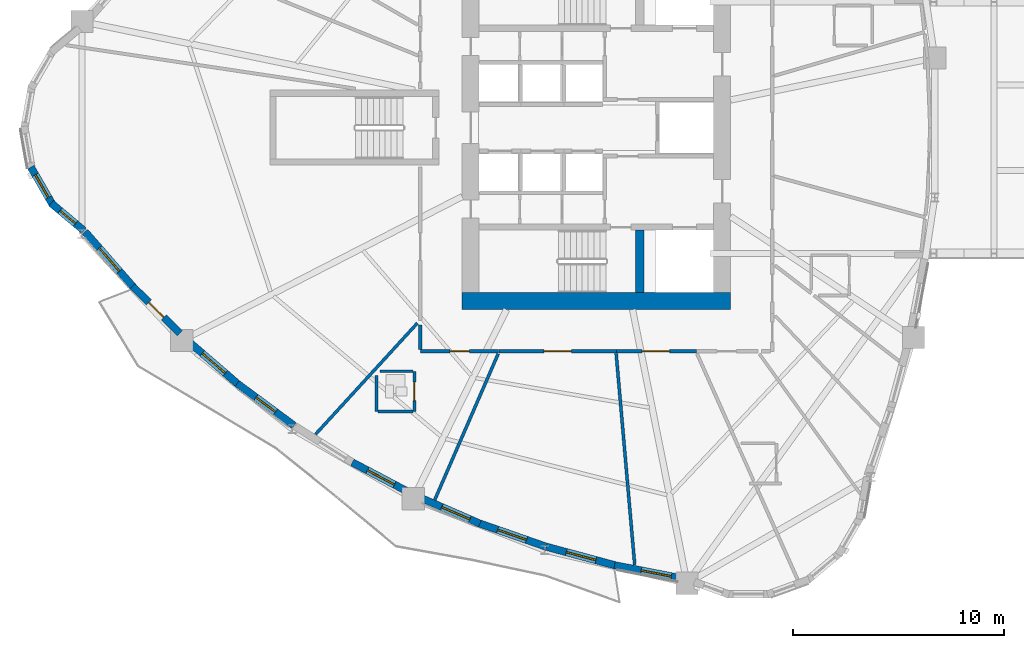
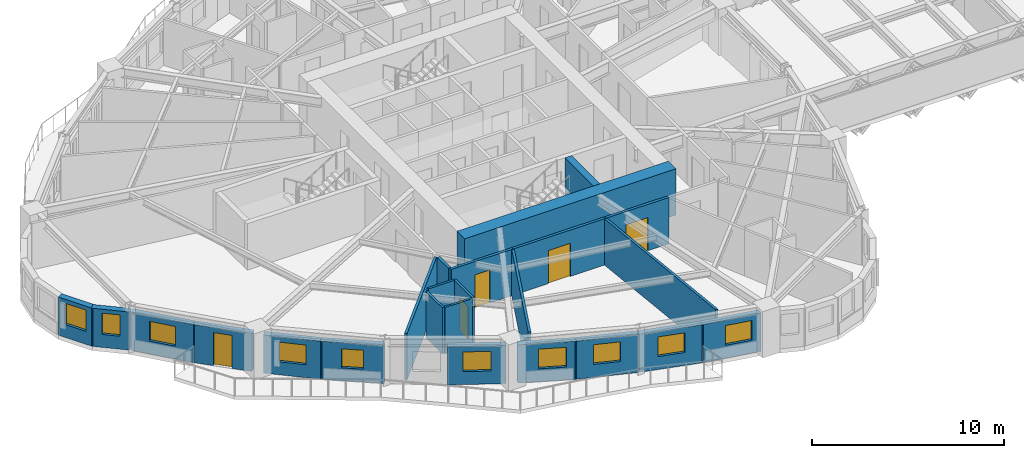
# One storey, part 4 of 16: 24 walls, 10 windows, 5 doors, 15 openings.
"""IFC4 building model written with IfcOpenShell, lengths in metres."""

from ifc_helpers import new_model, si_unit, direction, frame, frame_2d, origin, place, context, subcontext, project, spatial, rectangle, extrude, source, transform, mapped, material, layer, layer_set, type_object, element, fill, save


model = new_model("IFC4")

# Units and contexts
model_context = context("Model", 3, precision=1e-05, world=origin(), true_north=direction((0.0, 1.0)))
body_context = subcontext(model_context, "Body", "Model", "MODEL_VIEW")
ifc_project = project(units=[si_unit("LENGTHUNIT", "METRE"), si_unit("AREAUNIT", "SQUARE_METRE"), si_unit("VOLUMEUNIT", "CUBIC_METRE"), si_unit("PLANEANGLEUNIT", "RADIAN"), si_unit("MASSUNIT", "GRAM", prefix="KILO")], contexts=[model_context])

# Site, building, storey
site_placement = place(None, origin())
site = spatial("IfcSite", under=ifc_project, at=site_placement, CompositionType="ELEMENT")
building_placement = place(site_placement, origin())
building = spatial("IfcBuilding", under=site, at=building_placement, Name="Qafzar Sky-Pleat Residences", CompositionType="ELEMENT")
storey_placement = place(building_placement, frame((0.0, 0.0, 33.39990234375)))
storey = spatial("IfcBuildingStorey", under=building, at=storey_placement, Name="L09", CompositionType="ELEMENT", Elevation=33.39990234375)

# Wall, opening, door
ifc_material_1 = material(Name="Acoustic gypsum plasterboard partition", Category="gypsum")
ifc_layer_1 = layer(ifc_material_1, 0.159912109375)
ifc_layer_set_1 = layer_set([ifc_layer_1], Name="Acoustic gypsum plasterboard partition")
wall_type_1 = type_object("IfcWallType", Name="PART-COR-160", PredefinedType="PARTITIONING", material=ifc_layer_set_1)
wall_1_placement = place(storey_placement, frame((31.2939453125, 15.419921875, 0.0), z_axis=(0.0, 0.0, 1.0), x_axis=(-1.0, 0.0, 0.0)))
wall_1 = element("IfcWall", 1, at=wall_1_placement, inside=storey, type_object=wall_type_1, Name="L09 Partition Wall PART-L09-PW-003", PredefinedType="PARTITIONING", context=body_context, shape_type="SweptSolid", body=[
    extrude(rectangle(XDim=5.553955078125, YDim=0.159912109375, at=frame_2d((2.77685546875, 0.0))), origin(), (0.0, 0.0, 1.0), 2.940185546875),
])
opening_1_placement = place(wall_1_placement, frame((2.12646484375, 0.0, 0.0)))
opening_1 = element("IfcOpeningElement", 2, at=opening_1_placement, cuts=wall_1, Name="Opening ID-05", PredefinedType="OPENING", context=body_context, shape_type="SweptSolid", body=[
    extrude(rectangle(XDim=1.300048828125, YDim=2.10009765625, at=frame_2d((0.64990234375, 1.050048828125))), frame((0.0, 0.08984375, 0.0), z_axis=(0.0, -1.0, 0.0), x_axis=(1.0, 0.0, 0.0)), (0.0, 0.0, 1.0), 0.179931640625),
])
ifc_material_2 = material(Name="Timber-faced fire door", Category="wood")
door_type_1 = type_object("IfcDoorType", Name="DR-LNG-1300", OperationType="DOUBLE_DOOR_SINGLE_SWING", PredefinedType="DOOR", material=ifc_material_2)
shared_shape_1 = source(origin(), body_context, "Body", "SweptSolid", [
    extrude(rectangle(XDim=1.300048828125, YDim=2.10009765625, at=frame_2d((0.64990234375, 1.050048828125))), frame((0.0, 0.02490234375, 0.0), z_axis=(0.0, -1.0, 0.0), x_axis=(1.0, 0.0, 0.0)), (0.0, 0.0, 1.0), 0.050048828125),
])
door_1_placement = place(opening_1_placement, origin())
door_1 = element("IfcDoor", 3, at=door_1_placement, inside=storey, type_object=door_type_1, Name="L09 Tutorial Huddle Room Door", OperationType="DOUBLE_DOOR_SINGLE_SWING", OverallHeight=2.10009765625, OverallWidth=1.300048828125, PredefinedType="DOOR", context=body_context, shape_type="MappedRepresentation", body=[
    mapped(shared_shape_1, transform((0.0, 0.0, 0.0), x_axis=(1.0, 0.0, 0.0), y_axis=(0.0, 1.0, 0.0), z_axis=(0.0, 0.0, 1.0), scale=1.0)),
])
fill(opening_1, door_1)

wall_2_placement = place(storey_placement, frame((35.080078125, 15.419921875, 0.0), z_axis=(0.0, 0.0, 1.0), x_axis=(-1.0, 0.0, 0.0)))
wall_2 = element("IfcWall", 4, at=wall_2_placement, inside=storey, type_object=wall_type_1, Name="L09 Partition Wall PART-L09-PW-009", PredefinedType="PARTITIONING", context=body_context, shape_type="SweptSolid", body=[
    extrude(rectangle(XDim=3.77099609375, YDim=0.159912109375, at=frame_2d((1.885498046875, 0.0))), origin(), (0.0, 0.0, 1.0), 2.940185546875),
])
opening_2_placement = place(wall_2_placement, frame((1.258544921875, 0.0, 0.0)))
opening_2 = element("IfcOpeningElement", 5, at=opening_2_placement, cuts=wall_2, Name="Opening ID-05", PredefinedType="OPENING", context=body_context, shape_type="SweptSolid", body=[
    extrude(rectangle(XDim=1.300048828125, YDim=2.10009765625, at=frame_2d((0.64990234375, 1.050048828125))), frame((0.0, 0.08984375, 0.0), z_axis=(0.0, -1.0, 0.0), x_axis=(1.0, 0.0, 0.0)), (0.0, 0.0, 1.0), 0.179931640625),
])
door_2_placement = place(opening_2_placement, origin())
door_2 = element("IfcDoor", 6, at=door_2_placement, inside=storey, type_object=door_type_1, Name="L09 Research Conference Room Door", OperationType="DOUBLE_DOOR_SINGLE_SWING", OverallHeight=2.10009765625, OverallWidth=1.300048828125, PredefinedType="DOOR", context=body_context, shape_type="MappedRepresentation", body=[
    mapped(shared_shape_1, transform((0.0, 0.0, 0.0), x_axis=(1.0, 0.0, 0.0), y_axis=(0.0, 1.0, 0.0), z_axis=(0.0, 0.0, 1.0), scale=1.0)),
])
fill(opening_2, door_2)

wall_3_placement = place(storey_placement, frame((25.72509765625, 15.419921875, 0.0), z_axis=(0.0, 0.0, 1.0), x_axis=(-1.0, 0.0, 0.0)))
wall_3 = element("IfcWall", 7, at=wall_3_placement, inside=storey, type_object=wall_type_1, Name="L09 Partition Wall PART-L09-PW-011", PredefinedType="PARTITIONING", context=body_context, shape_type="SweptSolid", body=[
    extrude(rectangle(XDim=3.705078125, YDim=0.159912109375, at=frame_2d((1.8525390625, 0.0))), origin(), (0.0, 0.0, 1.0), 2.940185546875),
])
opening_3_placement = place(wall_3_placement, frame((1.376953125, 0.0, 0.0)))
opening_3 = element("IfcOpeningElement", 8, at=opening_3_placement, cuts=wall_3, Name="Opening ID-04", PredefinedType="OPENING", context=body_context, shape_type="SweptSolid", body=[
    extrude(rectangle(XDim=0.919921875, YDim=2.10009765625, at=frame_2d((0.4599609375, 1.050048828125))), frame((0.0, 0.08984375, 0.0), z_axis=(0.0, -1.0, 0.0), x_axis=(1.0, 0.0, 0.0)), (0.0, 0.0, 1.0), 0.179931640625),
])
door_type_2 = type_object("IfcDoorType", Name="DR-BED-920", OperationType="NOTDEFINED", PredefinedType="DOOR", material=ifc_material_2)
shared_shape_2 = source(origin(), body_context, "Body", "SweptSolid", [
    extrude(rectangle(XDim=0.919921875, YDim=2.10009765625, at=frame_2d((0.4599609375, 1.050048828125))), frame((0.0, 0.02490234375, 0.0), z_axis=(0.0, -1.0, 0.0), x_axis=(1.0, 0.0, 0.0)), (0.0, 0.0, 1.0), 0.050048828125),
])
door_3_placement = place(opening_3_placement, origin())
door_3 = element("IfcDoor", 9, at=door_3_placement, inside=storey, type_object=door_type_2, Name="L09 Co-Living Bedroom 6 Door", OperationType="SINGLE_SWING_LEFT", OverallHeight=2.10009765625, OverallWidth=0.919921875, PredefinedType="DOOR", context=body_context, shape_type="MappedRepresentation", body=[
    mapped(shared_shape_2, transform((0.0, 0.0, 0.0), x_axis=(1.0, 0.0, 0.0), y_axis=(0.0, 1.0, 0.0), z_axis=(0.0, 0.0, 1.0), scale=1.0)),
])
fill(opening_3, door_3)

# Walls
wall_4_placement = place(storey_placement, frame((22.02001953125, 15.508056640625, 0.0), z_axis=(0.0, 0.0, 1.0), x_axis=(0.0, 1.0, 0.0)))
element("IfcWall", 10, at=wall_4_placement, inside=storey, type_object=wall_type_1, Name="L09 Partition Wall PART-L09-PW-088", PredefinedType="PARTITIONING", context=body_context, shape_type="SweptSolid", body=[
    extrude(rectangle(XDim=1.1572265625, YDim=0.159912109375, at=frame_2d((0.57861328125, 0.0))), origin(), (0.0, 0.0, 1.0), 2.940185546875),
])
ifc_layer_2 = layer(ifc_material_1, 0.14501953125)
ifc_layer_set_2 = layer_set([ifc_layer_2], Name="Acoustic gypsum plasterboard partition")
wall_type_2 = type_object("IfcWallType", Name="PART-UNIT-145", PredefinedType="PARTITIONING", material=ifc_layer_set_2)
wall_5_placement = place(storey_placement, frame((31.287353515625, 15.32568359375, 0.0), z_axis=(0.0, 0.0, 1.0), x_axis=(0.087404477037, -0.99617290537, 0.0)))
element("IfcWall", 11, at=wall_5_placement, inside=storey, type_object=wall_type_2, Name="L09 Partition Wall PART-L09-PW-037", PredefinedType="PARTITIONING", context=body_context, shape_type="SweptSolid", body=[
    extrude(rectangle(XDim=10.047119140625, YDim=0.14501953125, at=frame_2d((5.0234375, 0.0))), origin(), (0.0, 0.0, 1.0), 2.940185546875),
])
wall_6_placement = place(storey_placement, frame((22.705078125, 8.392333984375, 0.0), z_axis=(0.0, 0.0, 1.0), x_axis=(0.398228422372, 0.917286282256, 0.0)))
element("IfcWall", 12, at=wall_6_placement, inside=storey, type_object=wall_type_2, Name="L09 Partition Wall PART-L09-PW-040", PredefinedType="PARTITIONING", context=body_context, shape_type="SweptSolid", body=[
    extrude(rectangle(XDim=7.53466796875, YDim=0.14501953125, at=frame_2d((3.767333984375, 0.0))), origin(), (0.0, 0.0, 1.0), 2.940185546875),
])
wall_7_placement = place(storey_placement, frame((17.064453125, 11.493408203125, 0.0), z_axis=(0.0, 0.0, 1.0), x_axis=(0.67534166785, 0.737505004502, 0.0)))
element("IfcWall", 13, at=wall_7_placement, inside=storey, type_object=wall_type_2, Name="L09 Partition Wall PART-L09-PW-045", PredefinedType="PARTITIONING", context=body_context, shape_type="SweptSolid", body=[
    extrude(rectangle(XDim=7.132080078125, YDim=0.14501953125, at=frame_2d((3.56591796875, 0.0))), origin(), (0.0, 0.0, 1.0), 2.940185546875),
])

# Wall, opening, door
ifc_material_3 = material(Name="Moisture-resistant gypsum partition", Category="gypsum")
ifc_layer_3 = layer(ifc_material_3, 0.1298828125)
ifc_layer_set_3 = layer_set([ifc_layer_3], Name="Moisture-resistant gypsum partition")
wall_type_3 = type_object("IfcWallType", Name="PART-WET-130", PredefinedType="PARTITIONING", material=ifc_layer_set_3)
wall_8_placement = place(storey_placement, frame((21.743896484375, 12.572998046875, 0.0), z_axis=(0.0, 0.0, 1.0), x_axis=(0.0, 1.0, 0.0)))
wall_8 = element("IfcWall", 14, at=wall_8_placement, inside=storey, type_object=wall_type_3, Name="L09 Partition Wall PART-L09-PW-021", PredefinedType="PARTITIONING", context=body_context, shape_type="SweptSolid", body=[
    extrude(rectangle(XDim=1.89990234375, YDim=0.1298828125, at=frame_2d((0.949951171875, 0.0))), origin(), (0.0, 0.0, 1.0), 2.940185546875),
])
opening_4_placement = place(wall_8_placement, frame((0.510009765625, 0.0, 0.0)))
opening_4 = element("IfcOpeningElement", 15, at=opening_4_placement, cuts=wall_8, Name="Opening ID-07", PredefinedType="OPENING", context=body_context, shape_type="SweptSolid", body=[
    extrude(rectangle(XDim=0.8798828125, YDim=2.050048828125, at=frame_2d((0.43994140625, 1.02490234375))), frame((0.0, 0.074951171875, 0.0), z_axis=(0.0, -1.0, 0.0), x_axis=(1.0, 0.0, 0.0)), (0.0, 0.0, 1.0), 0.14990234375),
])
door_type_3 = type_object("IfcDoorType", Name="DR-WET-880", OperationType="NOTDEFINED", PredefinedType="DOOR", material=ifc_material_2)
shared_shape_3 = source(origin(), body_context, "Body", "SweptSolid", [
    extrude(rectangle(XDim=0.8798828125, YDim=2.050048828125, at=frame_2d((0.43994140625, 1.02490234375))), frame((0.0, 0.02490234375, 0.0), z_axis=(0.0, -1.0, 0.0), x_axis=(1.0, 0.0, 0.0)), (0.0, 0.0, 1.0), 0.050048828125),
])
door_4_placement = place(opening_4_placement, origin())
door_4 = element("IfcDoor", 16, at=door_4_placement, inside=storey, type_object=door_type_3, Name="L09 En-suite Bathroom 6 Door", OperationType="SINGLE_SWING_LEFT", OverallHeight=2.050048828125, OverallWidth=0.8798828125, PredefinedType="DOOR", context=body_context, shape_type="MappedRepresentation", body=[
    mapped(shared_shape_3, transform((0.0, 0.0, 0.0), x_axis=(1.0, 0.0, 0.0), y_axis=(0.0, 1.0, 0.0), z_axis=(0.0, 0.0, 1.0), scale=1.0)),
])
fill(opening_4, door_4)

# Walls
wall_9_placement = place(storey_placement, frame((19.944091796875, 12.572998046875, 0.0), z_axis=(0.0, 0.0, 1.0), x_axis=(0.0, 1.0, 0.0)))
element("IfcWall", 17, at=wall_9_placement, inside=storey, type_object=wall_type_3, Name="L09 Partition Wall PART-L09-PW-062", PredefinedType="PARTITIONING", context=body_context, shape_type="SweptSolid", body=[
    extrude(rectangle(XDim=1.713623046875, YDim=0.1298828125, at=frame_2d((0.85693359375, 0.0))), origin(), (0.0, 0.0, 1.0), 2.940185546875),
])
wall_10_placement = place(storey_placement, frame((20.10986328125, 14.472900390625, 0.0), z_axis=(0.0, 0.0, 1.0), x_axis=(1.0, 0.0, 0.0)))
element("IfcWall", 18, at=wall_10_placement, inside=storey, type_object=wall_type_3, Name="L09 Partition Wall PART-L09-PW-072", PredefinedType="PARTITIONING", context=body_context, shape_type="SweptSolid", body=[
    extrude(rectangle(XDim=1.56103515625, YDim=0.1298828125, at=frame_2d((0.780517578125, 0.0))), origin(), (0.0, 0.0, 1.0), 2.940185546875),
])
wall_11_placement = place(storey_placement, frame((20.01708984375, 12.572998046875, 0.0), z_axis=(0.0, 0.0, 1.0), x_axis=(1.0, 0.0, 0.0)))
element("IfcWall", 19, at=wall_11_placement, inside=storey, type_object=wall_type_3, Name="L09 Partition Wall PART-L09-PW-073", PredefinedType="PARTITIONING", context=body_context, shape_type="SweptSolid", body=[
    extrude(rectangle(XDim=1.65380859375, YDim=0.1298828125, at=frame_2d((0.826904296875, 0.0))), origin(), (0.0, 0.0, 1.0), 2.940185546875),
])

# Wall, opening, window
ifc_material_4 = material(Name="Precast concrete C40/50 with honed Riyadh limestone", Category="concrete")
ifc_layer_4 = layer(ifc_material_4, 0.35009765625)
ifc_layer_set_4 = layer_set([ifc_layer_4], Name="Precast concrete C40/50 with honed Riyadh limestone")
wall_type_4 = type_object("IfcWallType", Name="WALL-EXT-350", PredefinedType="SOLIDWALL", material=ifc_layer_set_4)
wall_12_placement = place(storey_placement, frame((3.59228515625, 24.13671875, 0.0), z_axis=(0.0, 0.0, 1.0), x_axis=(0.499995423472, -0.866028046028, 0.0)))
wall_12 = element("IfcWall", 20, at=wall_12_placement, inside=storey, type_object=wall_type_4, Name="L09 Limestone Facade Wall 5", PredefinedType="SOLIDWALL", context=body_context, shape_type="SweptSolid", body=[
    extrude(rectangle(XDim=2.09033203125, YDim=0.35009765625, at=frame_2d((1.045166015625, 0.0))), origin(), (0.0, 0.0, 1.0), 2.420166015625),
])
opening_5_placement = place(wall_12_placement, frame((0.420166015625, 0.0, 0.820068359375)))
opening_5 = element("IfcOpeningElement", 21, at=opening_5_placement, cuts=wall_12, Name="Opening WN-11", PredefinedType="OPENING", context=body_context, shape_type="SweptSolid", body=[
    extrude(rectangle(XDim=1.25, YDim=1.35009765625, at=frame_2d((0.625, 0.675048828125))), frame((0.0, 0.18505859375, 0.0), z_axis=(0.0, -1.0, 0.0), x_axis=(1.0, 0.0, 0.0)), (0.0, 0.0, 1.0), 0.3701171875),
])
ifc_material_5 = material(Name="Solar-control low-E glass in bronze aluminium frame", Category="glass")
window_type_1 = type_object("IfcWindowType", Name="WIN-11", PartitioningType="SINGLE_PANEL", PredefinedType="WINDOW", material=ifc_material_5)
shared_shape_4 = source(origin(), body_context, "Body", "SweptSolid", [
    extrude(rectangle(XDim=1.25, YDim=1.35009765625, at=frame_2d((0.625, 0.675048828125))), frame((0.0, 0.030029296875, 0.0), z_axis=(0.0, -1.0, 0.0), x_axis=(1.0, 0.0, 0.0)), (0.0, 0.0, 1.0), 0.06005859375),
])
window_1_placement = place(opening_5_placement, origin())
window_1 = element("IfcWindow", 22, at=window_1_placement, inside=storey, type_object=window_type_1, Name="L09 Punched Facade Window 05", OverallHeight=1.35009765625, OverallWidth=1.25, PartitioningType="SINGLE_PANEL", PredefinedType="WINDOW", context=body_context, shape_type="MappedRepresentation", body=[
    mapped(shared_shape_4, transform((0.0, 0.0, 0.0), x_axis=(1.0, 0.0, 0.0), y_axis=(0.0, 1.0, 0.0), z_axis=(0.0, 0.0, 1.0), scale=1.0)),
])
fill(opening_5, window_1)

wall_13_placement = place(storey_placement, frame((4.55029296875, 22.430419921875, 0.0), z_axis=(0.0, 0.0, 1.0), x_axis=(0.766040796373, -0.642791955684, 0.0)))
wall_13 = element("IfcWall", 23, at=wall_13_placement, inside=storey, type_object=wall_type_4, Name="L09 Limestone Facade Wall 6", PredefinedType="SOLIDWALL", context=body_context, shape_type="SweptSolid", body=[
    extrude(rectangle(XDim=2.032470703125, YDim=0.35009765625, at=frame_2d((1.01611328125, 0.0))), origin(), (0.0, 0.0, 1.0), 2.420166015625),
])
opening_6_placement = place(wall_13_placement, frame((0.55126953125, 0.0, 0.820068359375)))
opening_6 = element("IfcOpeningElement", 24, at=opening_6_placement, cuts=wall_13, Name="Opening WN-12", PredefinedType="OPENING", context=body_context, shape_type="SweptSolid", body=[
    extrude(rectangle(XDim=0.949951171875, YDim=1.35009765625, at=frame_2d((0.47509765625, 0.675048828125))), frame((0.0, 0.18505859375, 0.0), z_axis=(0.0, -1.0, 0.0), x_axis=(1.0, 0.0, 0.0)), (0.0, 0.0, 1.0), 0.3701171875),
])
window_type_2 = type_object("IfcWindowType", Name="WIN-12", PartitioningType="SINGLE_PANEL", PredefinedType="WINDOW", material=ifc_material_5)
shared_shape_5 = source(origin(), body_context, "Body", "SweptSolid", [
    extrude(rectangle(XDim=0.949951171875, YDim=1.35009765625, at=frame_2d((0.47509765625, 0.675048828125))), frame((0.0, 0.030029296875, 0.0), z_axis=(0.0, -1.0, 0.0), x_axis=(1.0, 0.0, 0.0)), (0.0, 0.0, 1.0), 0.06005859375),
])
window_2_placement = place(opening_6_placement, origin())
window_2 = element("IfcWindow", 25, at=window_2_placement, inside=storey, type_object=window_type_2, Name="L09 Punched Facade Window 06", OverallHeight=1.35009765625, OverallWidth=0.949951171875, PartitioningType="SINGLE_PANEL", PredefinedType="WINDOW", context=body_context, shape_type="MappedRepresentation", body=[
    mapped(shared_shape_5, transform((0.0, 0.0, 0.0), x_axis=(1.0, 0.0, 0.0), y_axis=(0.0, 1.0, 0.0), z_axis=(0.0, 0.0, 1.0), scale=1.0)),
])
fill(opening_6, window_2)

wall_14_placement = place(storey_placement, frame((6.155029296875, 21.0771484375, 0.0), z_axis=(0.0, 0.0, 1.0), x_axis=(0.657593785467, -0.753372692175, 0.0)))
wall_14 = element("IfcWall", 26, at=wall_14_placement, inside=storey, type_object=wall_type_4, Name="L09 Limestone Facade Wall 7", PredefinedType="SOLIDWALL", context=body_context, shape_type="SweptSolid", body=[
    extrude(rectangle(XDim=3.512451171875, YDim=0.35009765625, at=frame_2d((1.75634765625, 0.0))), origin(), (0.0, 0.0, 1.0), 2.420166015625),
])
opening_7_placement = place(wall_14_placement, frame((1.021240234375, 0.0, 0.820068359375)))
opening_7 = element("IfcOpeningElement", 27, at=opening_7_placement, cuts=wall_14, Name="Opening WN-15", PredefinedType="OPENING", context=body_context, shape_type="SweptSolid", body=[
    extrude(rectangle(XDim=1.449951171875, YDim=1.25, at=frame_2d((0.72509765625, 0.625))), frame((0.0, 0.18505859375, 0.0), z_axis=(0.0, -1.0, 0.0), x_axis=(1.0, 0.0, 0.0)), (0.0, 0.0, 1.0), 0.3701171875),
])
window_type_3 = type_object("IfcWindowType", Name="WIN-15", PartitioningType="SINGLE_PANEL", PredefinedType="WINDOW", material=ifc_material_5)
shared_shape_6 = source(origin(), body_context, "Body", "SweptSolid", [
    extrude(rectangle(XDim=1.449951171875, YDim=1.25, at=frame_2d((0.72509765625, 0.625))), frame((0.0, 0.030029296875, 0.0), z_axis=(0.0, -1.0, 0.0), x_axis=(1.0, 0.0, 0.0)), (0.0, 0.0, 1.0), 0.06005859375),
])
window_3_placement = place(opening_7_placement, origin())
window_3 = element("IfcWindow", 28, at=window_3_placement, inside=storey, type_object=window_type_3, Name="L09 Punched Facade Window 07", OverallHeight=1.25, OverallWidth=1.449951171875, PartitioningType="SINGLE_PANEL", PredefinedType="WINDOW", context=body_context, shape_type="MappedRepresentation", body=[
    mapped(shared_shape_6, transform((0.0, 0.0, 0.0), x_axis=(1.0, 0.0, 0.0), y_axis=(0.0, 1.0, 0.0), z_axis=(0.0, 0.0, 1.0), scale=1.0)),
])
fill(opening_7, window_3)

# Wall, opening, door
wall_15_placement = place(storey_placement, frame((8.40478515625, 18.495361328125, 0.0), z_axis=(0.0, 0.0, 1.0), x_axis=(0.708380670467, -0.705830592783, 0.0)))
wall_15 = element("IfcWall", 29, at=wall_15_placement, inside=storey, type_object=wall_type_4, Name="L09 Limestone Facade Wall 8", PredefinedType="SOLIDWALL", context=body_context, shape_type="SweptSolid", body=[
    extrude(rectangle(XDim=3.159423828125, YDim=0.35009765625, at=frame_2d((1.57958984375, 0.0))), origin(), (0.0, 0.0, 1.0), 2.420166015625),
])
opening_8_placement = place(wall_15_placement, frame((1.07958984375, 0.0, 0.0)))
opening_8 = element("IfcOpeningElement", 30, at=opening_8_placement, cuts=wall_15, Name="Opening ED-05", PredefinedType="OPENING", context=body_context, shape_type="SweptSolid", body=[
    extrude(rectangle(XDim=1.0, YDim=2.10009765625, at=frame_2d((0.5, 1.050048828125))), frame((0.0, 0.18505859375, 0.0), z_axis=(0.0, -1.0, 0.0), x_axis=(1.0, 0.0, 0.0)), (0.0, 0.0, 1.0), 0.3701171875),
])
ifc_material_6 = material(Name="Glazed bronze aluminium door", Category="aluminium")
door_type_4 = type_object("IfcDoorType", Name="DR-BAL-1000", OperationType="NOTDEFINED", PredefinedType="DOOR", material=ifc_material_6)
shared_shape_7 = source(origin(), body_context, "Body", "SweptSolid", [
    extrude(rectangle(XDim=1.0, YDim=2.10009765625, at=frame_2d((0.5, 1.050048828125))), frame((0.0, 0.02490234375, 0.0), z_axis=(0.0, -1.0, 0.0), x_axis=(1.0, 0.0, 0.0)), (0.0, 0.0, 1.0), 0.050048828125),
])
door_5_placement = place(opening_8_placement, origin())
door_5 = element("IfcDoor", 31, at=door_5_placement, inside=storey, type_object=door_type_4, Name="L09 Glazed Balcony Door 2", OperationType="SINGLE_SWING_LEFT", OverallHeight=2.10009765625, OverallWidth=1.0, PredefinedType="DOOR", context=body_context, shape_type="MappedRepresentation", body=[
    mapped(shared_shape_7, transform((0.0, 0.0, 0.0), x_axis=(1.0, 0.0, 0.0), y_axis=(0.0, 1.0, 0.0), z_axis=(0.0, 0.0, 1.0), scale=1.0)),
])
fill(opening_8, door_5)

# Wall, opening, window
wall_16_placement = place(storey_placement, frame((11.0732421875, 15.8662109375, 0.0), z_axis=(0.0, 0.0, 1.0), x_axis=(0.75751592545, -0.652816683833, 0.0)))
wall_16 = element("IfcWall", 32, at=wall_16_placement, inside=storey, type_object=wall_type_4, Name="L09 Limestone Facade Wall 9", PredefinedType="SOLIDWALL", context=body_context, shape_type="SweptSolid", body=[
    extrude(rectangle(XDim=3.103759765625, YDim=0.35009765625, at=frame_2d((1.5517578125, 0.0))), origin(), (0.0, 0.0, 1.0), 2.420166015625),
])
opening_9_placement = place(wall_16_placement, frame((0.82177734375, 0.0, 0.820068359375)))
opening_9 = element("IfcOpeningElement", 33, at=opening_9_placement, cuts=wall_16, Name="Opening WN-15", PredefinedType="OPENING", context=body_context, shape_type="SweptSolid", body=[
    extrude(rectangle(XDim=1.449951171875, YDim=1.25, at=frame_2d((0.72509765625, 0.625))), frame((0.0, 0.18505859375, 0.0), z_axis=(0.0, -1.0, 0.0), x_axis=(1.0, 0.0, 0.0)), (0.0, 0.0, 1.0), 0.3701171875),
])
window_4_placement = place(opening_9_placement, origin())
window_4 = element("IfcWindow", 34, at=window_4_placement, inside=storey, type_object=window_type_3, Name="L09 Punched Facade Window 09", OverallHeight=1.25, OverallWidth=1.449951171875, PartitioningType="SINGLE_PANEL", PredefinedType="WINDOW", context=body_context, shape_type="MappedRepresentation", body=[
    mapped(shared_shape_6, transform((0.0, 0.0, 0.0), x_axis=(1.0, 0.0, 0.0), y_axis=(0.0, 1.0, 0.0), z_axis=(0.0, 0.0, 1.0), scale=1.0)),
])
fill(opening_9, window_4)

wall_17_placement = place(storey_placement, frame((13.354736328125, 13.8955078125, 0.0), z_axis=(0.0, 0.0, 1.0), x_axis=(0.803836316566, -0.594850549441, 0.0)))
wall_17 = element("IfcWall", 35, at=wall_17_placement, inside=storey, type_object=wall_type_4, Name="L09 Limestone Facade Wall 10", PredefinedType="SOLIDWALL", context=body_context, shape_type="SweptSolid", body=[
    extrude(rectangle(XDim=3.345703125, YDim=0.35009765625, at=frame_2d((1.6728515625, 0.0))), origin(), (0.0, 0.0, 1.0), 2.420166015625),
])
opening_10_placement = place(wall_17_placement, frame((1.10791015625, 0.0, 0.820068359375)))
opening_10 = element("IfcOpeningElement", 36, at=opening_10_placement, cuts=wall_17, Name="Opening WN-16", PredefinedType="OPENING", context=body_context, shape_type="SweptSolid", body=[
    extrude(rectangle(XDim=1.14990234375, YDim=1.199951171875, at=frame_2d((0.574951171875, 0.60009765625))), frame((0.0, 0.18505859375, 0.0), z_axis=(0.0, -1.0, 0.0), x_axis=(1.0, 0.0, 0.0)), (0.0, 0.0, 1.0), 0.3701171875),
])
window_type_4 = type_object("IfcWindowType", Name="WIN-16", PartitioningType="SINGLE_PANEL", PredefinedType="WINDOW", material=ifc_material_5)
shared_shape_8 = source(origin(), body_context, "Body", "SweptSolid", [
    extrude(rectangle(XDim=1.14990234375, YDim=1.199951171875, at=frame_2d((0.574951171875, 0.60009765625))), frame((0.0, 0.030029296875, 0.0), z_axis=(0.0, -1.0, 0.0), x_axis=(1.0, 0.0, 0.0)), (0.0, 0.0, 1.0), 0.06005859375),
])
window_5_placement = place(opening_10_placement, origin())
window_5 = element("IfcWindow", 37, at=window_5_placement, inside=storey, type_object=window_type_4, Name="L09 Punched Facade Window 10", OverallHeight=1.199951171875, OverallWidth=1.14990234375, PartitioningType="SINGLE_PANEL", PredefinedType="WINDOW", context=body_context, shape_type="MappedRepresentation", body=[
    mapped(shared_shape_8, transform((0.0, 0.0, 0.0), x_axis=(1.0, 0.0, 0.0), y_axis=(0.0, 1.0, 0.0), z_axis=(0.0, 0.0, 1.0), scale=1.0)),
])
fill(opening_10, window_5)

wall_18_placement = place(storey_placement, frame((18.804931640625, 10.1630859375, 0.0), z_axis=(0.0, 0.0, 1.0), x_axis=(0.884387509242, -0.466753396877, 0.0)))
wall_18 = element("IfcWall", 38, at=wall_18_placement, inside=storey, type_object=wall_type_4, Name="L09 Limestone Facade Wall 12", PredefinedType="SOLIDWALL", context=body_context, shape_type="SweptSolid", body=[
    extrude(rectangle(XDim=3.046875, YDim=0.35009765625, at=frame_2d((1.5234375, 0.0))), origin(), (0.0, 0.0, 1.0), 2.420166015625),
])
opening_11_placement = place(wall_18_placement, frame((0.803466796875, 0.0, 0.820068359375)))
opening_11 = element("IfcOpeningElement", 39, at=opening_11_placement, cuts=wall_18, Name="Opening WN-15", PredefinedType="OPENING", context=body_context, shape_type="SweptSolid", body=[
    extrude(rectangle(XDim=1.449951171875, YDim=1.25, at=frame_2d((0.72509765625, 0.625))), frame((0.0, 0.18505859375, 0.0), z_axis=(0.0, -1.0, 0.0), x_axis=(1.0, 0.0, 0.0)), (0.0, 0.0, 1.0), 0.3701171875),
])
window_6_placement = place(opening_11_placement, origin())
window_6 = element("IfcWindow", 40, at=window_6_placement, inside=storey, type_object=window_type_3, Name="L09 Punched Facade Window 12", OverallHeight=1.25, OverallWidth=1.449951171875, PartitioningType="SINGLE_PANEL", PredefinedType="WINDOW", context=body_context, shape_type="MappedRepresentation", body=[
    mapped(shared_shape_6, transform((0.0, 0.0, 0.0), x_axis=(1.0, 0.0, 0.0), y_axis=(0.0, 1.0, 0.0), z_axis=(0.0, 0.0, 1.0), scale=1.0)),
])
fill(opening_11, window_6)

wall_19_placement = place(storey_placement, frame((22.028076171875, 8.487060546875, 0.0), z_axis=(0.0, 0.0, 1.0), x_axis=(0.917081449464, -0.398699906006, 0.0)))
wall_19 = element("IfcWall", 41, at=wall_19_placement, inside=storey, type_object=wall_type_4, Name="L09 Limestone Facade Wall 13", PredefinedType="SOLIDWALL", context=body_context, shape_type="SweptSolid", body=[
    extrude(rectangle(XDim=3.06591796875, YDim=0.35009765625, at=frame_2d((1.532958984375, 0.0))), origin(), (0.0, 0.0, 1.0), 2.420166015625),
])
opening_12_placement = place(wall_19_placement, frame((1.097412109375, 0.0, 0.820068359375)))
opening_12 = element("IfcOpeningElement", 42, at=opening_12_placement, cuts=wall_19, Name="Opening WN-15", PredefinedType="OPENING", context=body_context, shape_type="SweptSolid", body=[
    extrude(rectangle(XDim=1.449951171875, YDim=1.25, at=frame_2d((0.72509765625, 0.625))), frame((0.0, 0.18505859375, 0.0), z_axis=(0.0, -1.0, 0.0), x_axis=(1.0, 0.0, 0.0)), (0.0, 0.0, 1.0), 0.3701171875),
])
window_7_placement = place(opening_12_placement, origin())
window_7 = element("IfcWindow", 43, at=window_7_placement, inside=storey, type_object=window_type_3, Name="L09 Punched Facade Window 13-2", OverallHeight=1.25, OverallWidth=1.449951171875, PartitioningType="SINGLE_PANEL", PredefinedType="WINDOW", context=body_context, shape_type="MappedRepresentation", body=[
    mapped(shared_shape_6, transform((0.0, 0.0, 0.0), x_axis=(1.0, 0.0, 0.0), y_axis=(0.0, 1.0, 0.0), z_axis=(0.0, 0.0, 1.0), scale=1.0)),
])
fill(opening_12, window_7)

wall_20_placement = place(storey_placement, frame((24.757080078125, 7.297119140625, 0.0), z_axis=(0.0, 0.0, 1.0), x_axis=(0.944122401027, -0.329595042254, 0.0)))
wall_20 = element("IfcWall", 44, at=wall_20_placement, inside=storey, type_object=wall_type_4, Name="L09 Limestone Facade Wall 14", PredefinedType="SOLIDWALL", context=body_context, shape_type="SweptSolid", body=[
    extrude(rectangle(XDim=3.383544921875, YDim=0.35009765625, at=frame_2d((1.69189453125, 0.0))), origin(), (0.0, 0.0, 1.0), 2.420166015625),
])
opening_13_placement = place(wall_20_placement, frame((0.976806640625, 0.0, 0.820068359375)))
opening_13 = element("IfcOpeningElement", 45, at=opening_13_placement, cuts=wall_20, Name="Opening WN-15", PredefinedType="OPENING", context=body_context, shape_type="SweptSolid", body=[
    extrude(rectangle(XDim=1.449951171875, YDim=1.25, at=frame_2d((0.72509765625, 0.625))), frame((0.0, 0.18505859375, 0.0), z_axis=(0.0, -1.0, 0.0), x_axis=(1.0, 0.0, 0.0)), (0.0, 0.0, 1.0), 0.3701171875),
])
window_8_placement = place(opening_13_placement, origin())
window_8 = element("IfcWindow", 46, at=window_8_placement, inside=storey, type_object=window_type_3, Name="L09 Punched Facade Window 14", OverallHeight=1.25, OverallWidth=1.449951171875, PartitioningType="SINGLE_PANEL", PredefinedType="WINDOW", context=body_context, shape_type="MappedRepresentation", body=[
    mapped(shared_shape_6, transform((0.0, 0.0, 0.0), x_axis=(1.0, 0.0, 0.0), y_axis=(0.0, 1.0, 0.0), z_axis=(0.0, 0.0, 1.0), scale=1.0)),
])
fill(opening_13, window_8)

wall_21_placement = place(storey_placement, frame((27.977783203125, 6.173828125, 0.0), z_axis=(0.0, 0.0, 1.0), x_axis=(0.965451765427, -0.260581827136, 0.0)))
wall_21 = element("IfcWall", 47, at=wall_21_placement, inside=storey, type_object=wall_type_4, Name="L09 Limestone Facade Wall 15", PredefinedType="SOLIDWALL", context=body_context, shape_type="SweptSolid", body=[
    extrude(rectangle(XDim=3.439453125, YDim=0.35009765625, at=frame_2d((1.7197265625, 0.0))), origin(), (0.0, 0.0, 1.0), 2.420166015625),
])
opening_14_placement = place(wall_21_placement, frame((0.984619140625, 0.0, 0.820068359375)))
opening_14 = element("IfcOpeningElement", 48, at=opening_14_placement, cuts=wall_21, Name="Opening WN-15", PredefinedType="OPENING", context=body_context, shape_type="SweptSolid", body=[
    extrude(rectangle(XDim=1.449951171875, YDim=1.25, at=frame_2d((0.72509765625, 0.625))), frame((0.0, 0.18505859375, 0.0), z_axis=(0.0, -1.0, 0.0), x_axis=(1.0, 0.0, 0.0)), (0.0, 0.0, 1.0), 0.3701171875),
])
window_9_placement = place(opening_14_placement, origin())
window_9 = element("IfcWindow", 49, at=window_9_placement, inside=storey, type_object=window_type_3, Name="L09 Punched Facade Window 15", OverallHeight=1.25, OverallWidth=1.449951171875, PartitioningType="SINGLE_PANEL", PredefinedType="WINDOW", context=body_context, shape_type="MappedRepresentation", body=[
    mapped(shared_shape_6, transform((0.0, 0.0, 0.0), x_axis=(1.0, 0.0, 0.0), y_axis=(0.0, 1.0, 0.0), z_axis=(0.0, 0.0, 1.0), scale=1.0)),
])
fill(opening_14, window_9)

wall_22_placement = place(storey_placement, frame((31.212646484375, 5.297607421875, 0.0), z_axis=(0.0, 0.0, 1.0), x_axis=(0.9812345335, -0.192818023709, 0.0)))
wall_22 = element("IfcWall", 50, at=wall_22_placement, inside=storey, type_object=wall_type_4, Name="L09 Limestone Facade Wall 16", PredefinedType="SOLIDWALL", context=body_context, shape_type="SweptSolid", body=[
    extrude(rectangle(XDim=3.232421875, YDim=0.35009765625, at=frame_2d((1.6162109375, 0.0))), origin(), (0.0, 0.0, 1.0), 2.420166015625),
])
opening_15_placement = place(wall_22_placement, frame((1.287353515625, 0.0, 0.820068359375)))
opening_15 = element("IfcOpeningElement", 51, at=opening_15_placement, cuts=wall_22, Name="Opening WN-15", PredefinedType="OPENING", context=body_context, shape_type="SweptSolid", body=[
    extrude(rectangle(XDim=1.449951171875, YDim=1.25, at=frame_2d((0.72509765625, 0.625))), frame((0.0, 0.18505859375, 0.0), z_axis=(0.0, -1.0, 0.0), x_axis=(1.0, 0.0, 0.0)), (0.0, 0.0, 1.0), 0.3701171875),
])
window_10_placement = place(opening_15_placement, origin())
window_10 = element("IfcWindow", 52, at=window_10_placement, inside=storey, type_object=window_type_3, Name="L09 Punched Facade Window 16-2", OverallHeight=1.25, OverallWidth=1.449951171875, PartitioningType="SINGLE_PANEL", PredefinedType="WINDOW", context=body_context, shape_type="MappedRepresentation", body=[
    mapped(shared_shape_6, transform((0.0, 0.0, 0.0), x_axis=(1.0, 0.0, 0.0), y_axis=(0.0, 1.0, 0.0), z_axis=(0.0, 0.0, 1.0), scale=1.0)),
])
fill(opening_15, window_10)

# Walls
ifc_material_7 = material(Name="Concrete C60/75", Category="concrete")
ifc_layer_5 = layer(ifc_material_7, 0.39990234375)
ifc_layer_set_5 = layer_set([ifc_layer_5], Name="Concrete C60/75")
wall_type_5 = type_object("IfcWallType", Name="WALL-SHEAR-400", PredefinedType="SHEAR", material=ifc_layer_set_5)
wall_23_placement = place(storey_placement, frame((32.39990234375, 18.199951171875, 0.0), z_axis=(0.0, 0.0, 1.0), x_axis=(0.0, 1.0, 0.0)))
element("IfcWall", 53, at=wall_23_placement, inside=storey, type_object=wall_type_5, Name="L09 Stair ST1 East Dividing Wall", PredefinedType="SHEAR", context=body_context, shape_type="SweptSolid", body=[
    extrude(rectangle(XDim=2.949951171875, YDim=0.39990234375, at=frame_2d((1.47509765625, 0.0))), origin(), (0.0, 0.0, 1.0), 2.940185546875),
])
ifc_layer_6 = layer(ifc_material_7, 0.800048828125)
ifc_layer_set_6 = layer_set([ifc_layer_6], Name="Concrete C60/75")
wall_type_6 = type_object("IfcWallType", Name="WALL-SHEAR-800", PredefinedType="SHEAR", material=ifc_layer_set_6)
wall_24_placement = place(storey_placement, frame((24.0, 17.800048828125, 0.0), z_axis=(0.0, 0.0, 1.0), x_axis=(1.0, 0.0, 0.0)))
element("IfcWall", 54, at=wall_24_placement, inside=storey, type_object=wall_type_6, Name="L09 CORE wall S", PredefinedType="SHEAR", context=body_context, shape_type="SweptSolid", body=[
    extrude(rectangle(XDim=12.699951171875, YDim=0.800048828125, at=frame_2d((6.35009765625, 0.0))), origin(), (0.0, 0.0, 1.0), 2.940185546875),
])

save(model, "model.ifc")
